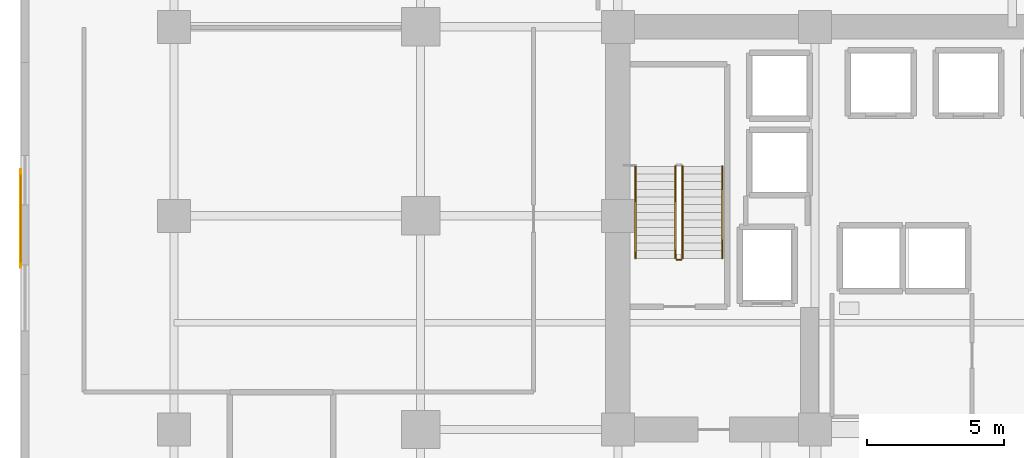
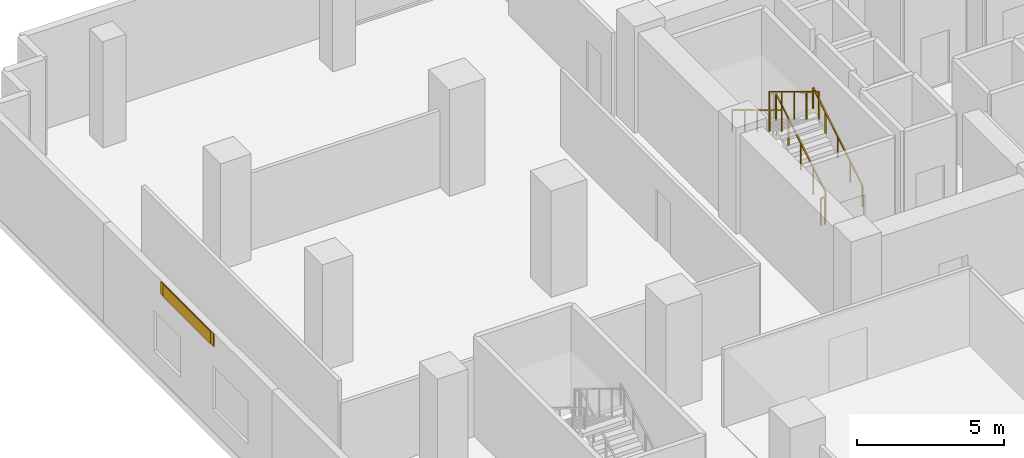
# One storey, part 18 of 23: 5 railings, 1 covering, 1 shading device.
"""IFC4 building model written with IfcOpenShell, lengths in metres."""

from ifc_helpers import new_model, si_unit, direction, frame, origin, origin_2d, place, context, subcontext, project, spatial, rectangle, extrude, source, transform, mapped, material, layer, layer_set, type_object, element, save


model = new_model("IFC4")

# Units and contexts
model_context = context("Model", 3, precision=1e-05, world=origin(), true_north=direction((0.0, 1.0)))
body_context = subcontext(model_context, "Body", "Model", "MODEL_VIEW")
ifc_project = project(units=[si_unit("LENGTHUNIT", "METRE"), si_unit("AREAUNIT", "SQUARE_METRE"), si_unit("VOLUMEUNIT", "CUBIC_METRE"), si_unit("PLANEANGLEUNIT", "RADIAN"), si_unit("MASSUNIT", "GRAM", prefix="KILO")], contexts=[model_context])

# Site, building, storey
site_placement = place(None, origin())
site = spatial("IfcSite", under=ifc_project, at=site_placement, CompositionType="ELEMENT")
building_placement = place(site_placement, origin())
building = spatial("IfcBuilding", under=site, at=building_placement, Name="Zarnakvel Exchange Tower", CompositionType="ELEMENT")
storey_placement = place(building_placement, frame((0.0, 0.0, 13.800048828125)))
storey = spatial("IfcBuildingStorey", under=building, at=storey_placement, Name="L03", CompositionType="ELEMENT", Elevation=13.800048828125)

# Railings
ifc_material_1 = material(Name="Brushed Stainless Steel", Category="steel")
railing_type_1 = type_object("IfcRailingType", Name="HR-01", PredefinedType="HANDRAIL", material=ifc_material_1)
railing_1_placement = place(storey_placement, frame((-10.590087890625, 5.050048828125, 0.169189453125)))
element("IfcRailing", 1, at=railing_1_placement, inside=storey, type_object=railing_type_1, Name="L03 ST-01 stair handrail 1", PredefinedType="HANDRAIL", context=body_context, shape_type="SweptSolid", body=[
    extrude(rectangle(XDim=0.048095703125, YDim=0.048095703125, at=origin_2d()), frame((0.0, 0.0, 0.8759765625), z_axis=(0.0, 0.855820338506, 0.51727318527), x_axis=(-1.0, 0.0, 0.0)), (0.0, 0.0, 1.0), 3.92578125),
    extrude(rectangle(XDim=0.0419921875, YDim=0.0419921875, at=origin_2d()), origin(), (0.0, 0.0, 1.0), 0.851806640625),
    extrude(rectangle(XDim=0.0419921875, YDim=0.0419921875, at=origin_2d()), frame((0.0, 0.83984375, 0.5078125)), (0.0, 0.0, 1.0), 0.851806640625),
    extrude(rectangle(XDim=0.0419921875, YDim=0.0419921875, at=origin_2d()), frame((0.0, 1.679931640625, 1.015380859375)), (0.0, 0.0, 1.0), 0.851806640625),
    extrude(rectangle(XDim=0.0419921875, YDim=0.0419921875, at=origin_2d()), frame((0.0, 2.52001953125, 1.52294921875)), (0.0, 0.0, 1.0), 0.851806640625),
    extrude(rectangle(XDim=0.0419921875, YDim=0.0419921875, at=origin_2d()), frame((0.0, 3.35986328125, 2.03076171875)), (0.0, 0.0, 1.0), 0.851806640625),
])
railing_2_placement = place(storey_placement, frame((-13.75, 8.409912109375, 2.369140625)))
element("IfcRailing", 2, at=railing_2_placement, inside=storey, type_object=railing_type_1, Name="L03 ST-01 stair handrail 2", PredefinedType="HANDRAIL", context=body_context, shape_type="SweptSolid", body=[
    extrude(rectangle(XDim=0.048095703125, YDim=0.048095703125, at=origin_2d()), frame((0.0, 0.0, 0.8759765625), z_axis=(0.0, -0.855820338506, 0.51727318527), x_axis=(1.0, 0.0, 0.0)), (0.0, 0.0, 1.0), 3.92578125),
    extrude(rectangle(XDim=0.0419921875, YDim=0.0419921875, at=origin_2d()), origin(), (0.0, 0.0, 1.0), 0.851806640625),
    extrude(rectangle(XDim=0.0419921875, YDim=0.0419921875, at=origin_2d()), frame((0.0, -0.83984375, 0.5078125)), (0.0, 0.0, 1.0), 0.851806640625),
    extrude(rectangle(XDim=0.0419921875, YDim=0.0419921875, at=origin_2d()), frame((0.0, -1.679931640625, 1.015380859375)), (0.0, 0.0, 1.0), 0.851806640625),
    extrude(rectangle(XDim=0.0419921875, YDim=0.0419921875, at=origin_2d()), frame((0.0, -2.52001953125, 1.52294921875)), (0.0, 0.0, 1.0), 0.851806640625),
    extrude(rectangle(XDim=0.0419921875, YDim=0.0419921875, at=origin_2d()), frame((0.0, -3.35986328125, 2.03076171875)), (0.0, 0.0, 1.0), 0.851806640625),
])
ifc_material_2 = material(Name="Architectural Bronze Anodised Aluminium", Category="aluminium")
railing_type_2 = type_object("IfcRailingType", Name="SG-01", PredefinedType="GUARDRAIL", material=ifc_material_2)
railing_3_placement = place(storey_placement, frame((-12.0400390625, 5.050048828125, 0.169189453125)))
element("IfcRailing", 3, at=railing_3_placement, inside=storey, type_object=railing_type_2, Name="L03 ST-01 stair guard 1", PredefinedType="GUARDRAIL", context=body_context, shape_type="SweptSolid", body=[
    extrude(rectangle(XDim=0.048095703125, YDim=0.048095703125, at=origin_2d()), frame((0.0, 0.0, 1.1259765625), z_axis=(0.0, 0.855820338506, 0.51727318527), x_axis=(-1.0, 0.0, 0.0)), (0.0, 0.0, 1.0), 3.92578125),
    extrude(rectangle(XDim=0.0419921875, YDim=0.0419921875, at=origin_2d()), origin(), (0.0, 0.0, 1.0), 1.101806640625),
    extrude(rectangle(XDim=0.0419921875, YDim=0.0419921875, at=origin_2d()), frame((0.0, 0.83984375, 0.5078125)), (0.0, 0.0, 1.0), 1.101806640625),
    extrude(rectangle(XDim=0.0419921875, YDim=0.0419921875, at=origin_2d()), frame((0.0, 1.679931640625, 1.015380859375)), (0.0, 0.0, 1.0), 1.101806640625),
    extrude(rectangle(XDim=0.0419921875, YDim=0.0419921875, at=origin_2d()), frame((0.0, 2.52001953125, 1.52294921875)), (0.0, 0.0, 1.0), 1.101806640625),
    extrude(rectangle(XDim=0.0419921875, YDim=0.0419921875, at=origin_2d()), frame((0.0, 3.35986328125, 2.03076171875)), (0.0, 0.0, 1.0), 1.101806640625),
])
railing_4_placement = place(storey_placement, frame((-12.300048828125, 8.409912109375, 2.369140625)))
element("IfcRailing", 4, at=railing_4_placement, inside=storey, type_object=railing_type_2, Name="L03 ST-01 stair guard 3", PredefinedType="GUARDRAIL", context=body_context, shape_type="SweptSolid", body=[
    extrude(rectangle(XDim=0.048095703125, YDim=0.048095703125, at=origin_2d()), frame((0.0, 0.0, 1.1259765625), z_axis=(0.0, -0.855820338506, 0.51727318527), x_axis=(1.0, 0.0, 0.0)), (0.0, 0.0, 1.0), 3.92578125),
    extrude(rectangle(XDim=0.0419921875, YDim=0.0419921875, at=origin_2d()), origin(), (0.0, 0.0, 1.0), 1.101806640625),
    extrude(rectangle(XDim=0.0419921875, YDim=0.0419921875, at=origin_2d()), frame((0.0, -0.83984375, 0.5078125)), (0.0, 0.0, 1.0), 1.101806640625),
    extrude(rectangle(XDim=0.0419921875, YDim=0.0419921875, at=origin_2d()), frame((0.0, -1.679931640625, 1.015380859375)), (0.0, 0.0, 1.0), 1.101806640625),
    extrude(rectangle(XDim=0.0419921875, YDim=0.0419921875, at=origin_2d()), frame((0.0, -2.52001953125, 1.52294921875)), (0.0, 0.0, 1.0), 1.101806640625),
    extrude(rectangle(XDim=0.0419921875, YDim=0.0419921875, at=origin_2d()), frame((0.0, -3.35986328125, 2.03076171875)), (0.0, 0.0, 1.0), 1.101806640625),
])
railing_5_placement = place(storey_placement, frame((-12.090087890625, 5.0, 0.0)))
element("IfcRailing", 5, at=railing_5_placement, inside=storey, type_object=railing_type_2, Name="L03 ST-01 stair guard 4", PredefinedType="GUARDRAIL", context=body_context, shape_type="SweptSolid", body=[
    extrude(rectangle(XDim=0.048095703125, YDim=0.048095703125, at=origin_2d()), frame((0.0, 0.0, 1.1259765625), z_axis=(-1.0, 0.0, 0.0), x_axis=(0.0, -1.0, 0.0)), (0.0, 0.0, 1.0), 0.159912109375),
    extrude(rectangle(XDim=0.0419921875, YDim=0.0419921875, at=origin_2d()), origin(), (0.0, 0.0, 1.0), 1.101806640625),
    extrude(rectangle(XDim=0.0419921875, YDim=0.0419921875, at=origin_2d()), frame((-0.159912109375, 0.0, 0.0)), (0.0, 0.0, 1.0), 1.101806640625),
])

# Covering
ifc_material_3 = material(Name="Glazed Turquoise Ceramic Architectural Tile", Category="ceramic")
ifc_layer_1 = layer(ifc_material_3, 0.028076171875)
ifc_layer_set_1 = layer_set([ifc_layer_1], Name="Glazed Turquoise Ceramic Architectural Tile")
covering_type = type_object("IfcCoveringType", Name="CL-01", PredefinedType="CLADDING", material=ifc_layer_set_1)
shared_shape_1 = source(origin(), body_context, "Body", "SweptSolid", [
    extrude(rectangle(XDim=3.60009765625, YDim=0.028076171875, at=origin_2d()), origin(), (0.0, 0.0, 1.0), 0.52001953125),
])
covering_placement = place(storey_placement, frame((-36.19189453125, 6.5, 3.56005859375), z_axis=(0.0, 0.0, 1.0), x_axis=(0.0, 1.0, 0.0)))
element("IfcCovering", 6, at=covering_placement, inside=storey, type_object=covering_type, Name="L03 Ceramic Spandrel Tilework CL-01", PredefinedType="CLADDING", context=body_context, shape_type="MappedRepresentation", body=[
    mapped(shared_shape_1, transform((0.0, 0.0, 0.0), x_axis=(1.0, 0.0, 0.0), y_axis=(0.0, 1.0, 0.0), z_axis=(0.0, 0.0, 1.0), scale=1.0)),
])

# Shading device
ifc_material_4 = material(Name="Perforated Architectural Bronze Screen", Category="aluminium")
ifc_layer_2 = layer(ifc_material_4, 0.044921875)
ifc_layer_set_2 = layer_set([ifc_layer_2], Name="Perforated Architectural Bronze Screen")
shading_device_type = type_object("IfcShadingDeviceType", Name="SS-01", PredefinedType="JALOUSIE", material=ifc_layer_set_2)
shared_shape_2 = source(origin(), body_context, "Body", "SweptSolid", [
    extrude(rectangle(XDim=3.199951171875, YDim=0.044921875, at=origin_2d()), origin(), (0.0, 0.0, 1.0), 0.52001953125),
])
shading_device_placement = place(storey_placement, frame((-36.200439453125, 6.5, 3.56005859375), z_axis=(0.0, 0.0, 1.0), x_axis=(0.0, 1.0, 0.0)))
element("IfcShadingDevice", 7, at=shading_device_placement, inside=storey, type_object=shading_device_type, Name="L03 Bronze Solar Shading Screen SS-01", PredefinedType="JALOUSIE", context=body_context, shape_type="MappedRepresentation", body=[
    mapped(shared_shape_2, transform((0.0, 0.0, 0.0), x_axis=(1.0, 0.0, 0.0), y_axis=(0.0, 1.0, 0.0), z_axis=(0.0, 0.0, 1.0), scale=1.0)),
])

save(model, "model.ifc")
